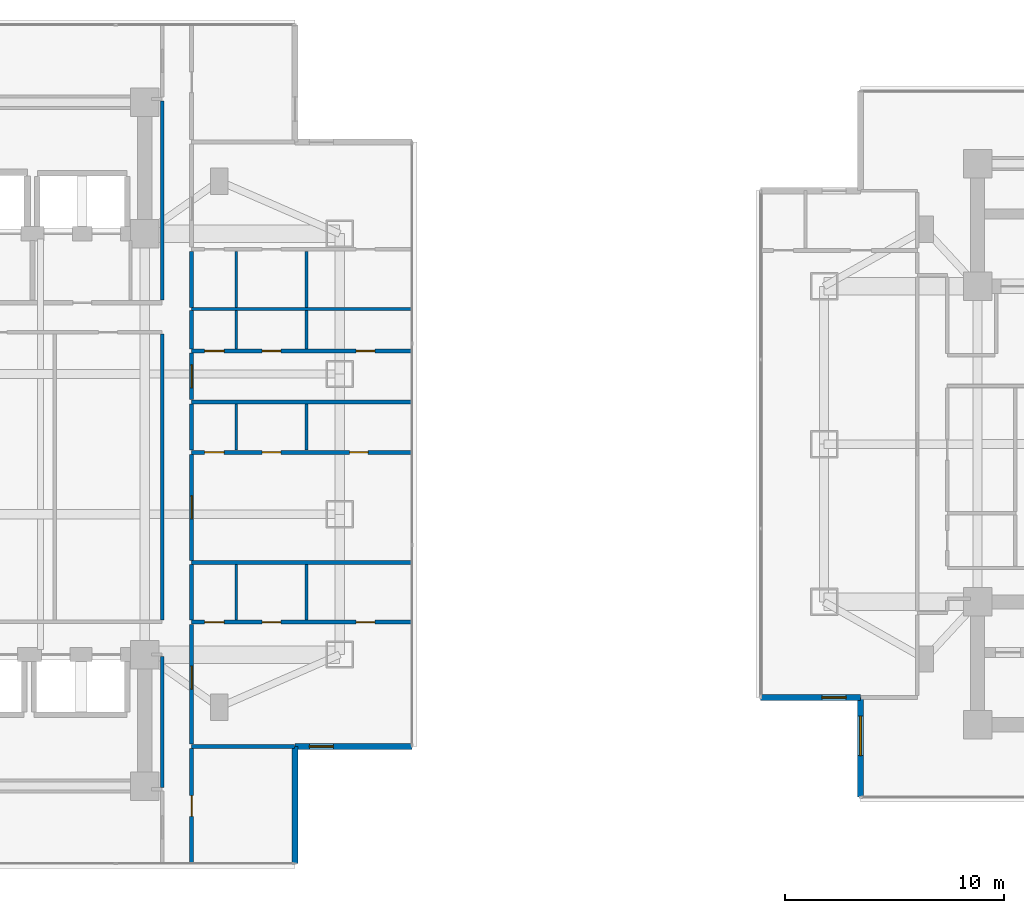
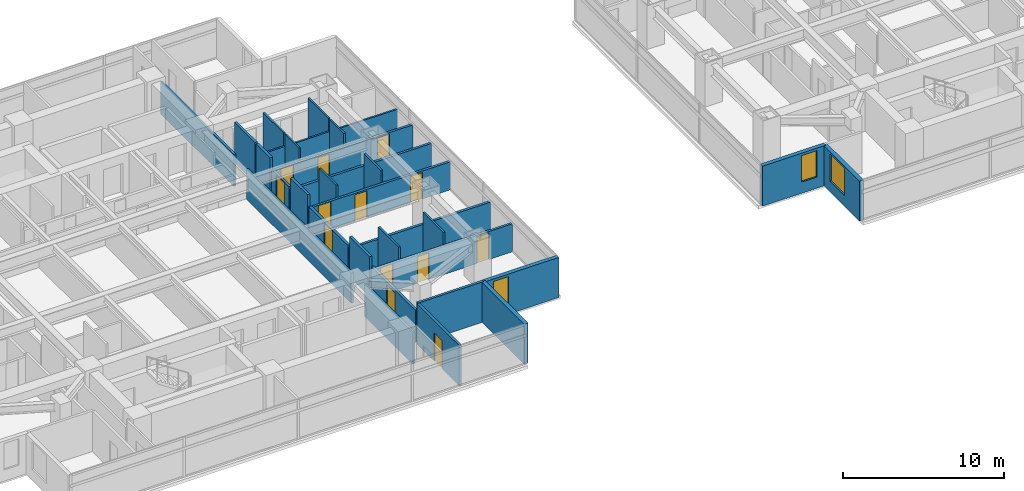
# One storey, part 15 of 24: 30 walls, 13 doors, 3 windows, 16 openings.
"""IFC4 building model written with IfcOpenShell, lengths in metres."""

from ifc_helpers import new_model, si_unit, direction, frame, frame_2d, origin, place, context, subcontext, project, spatial, rectangle, extrude, material, layer, layer_set, type_object, element, fill, save


model = new_model("IFC4")

# Units and contexts
model_context = context("Model", 3, precision=1e-05, world=origin(), true_north=direction((0.0, 1.0)))
body_context = subcontext(model_context, "Body", "Model", "MODEL_VIEW")
ifc_project = project(units=[si_unit("LENGTHUNIT", "METRE"), si_unit("AREAUNIT", "SQUARE_METRE"), si_unit("VOLUMEUNIT", "CUBIC_METRE"), si_unit("PLANEANGLEUNIT", "RADIAN"), si_unit("MASSUNIT", "GRAM", prefix="KILO")], contexts=[model_context])

# Site, building, storey
site_placement = place(None, origin())
site = spatial("IfcSite", under=ifc_project, at=site_placement, CompositionType="ELEMENT")
building_placement = place(site_placement, origin())
building = spatial("IfcBuilding", under=site, at=building_placement, Name="Mirazonda Arch Towers", CompositionType="ELEMENT")
storey_placement = place(building_placement, frame((0.0, 0.0, 65.300048828125)))
storey = spatial("IfcBuildingStorey", under=building, at=storey_placement, Name="L18", CompositionType="ELEMENT", Elevation=65.300048828125)

# Wall, opening, window
ifc_material_1 = material(Name="Precast Concrete C40/50", Category="concrete")
ifc_layer_1 = layer(ifc_material_1, 0.280029296875, Name="WALL-EXT-WALL-280")
ifc_layer_set_1 = layer_set([ifc_layer_1], Name="Precast Concrete C40/50")
wall_type_1 = type_object("IfcWallType", Name="WALL-EXT-WALL-280", PredefinedType="SOLIDWALL", material=ifc_layer_set_1)
wall_1_placement = place(storey_placement, frame((36.860107421875, 14.2080078125, 0.0), z_axis=(0.0, 0.0, 1.0), x_axis=(1.0, 0.0, 0.0)))
wall_1 = element("IfcWall", 1, at=wall_1_placement, inside=storey, type_object=wall_type_1, Name="L18 T1 Corner Notch Return Wall WL-L18-T1-CSE1", PredefinedType="SOLIDWALL", context=body_context, shape_type="SweptSolid", body=[
    extrude(rectangle(XDim=5.33984375, YDim=0.280029296875, at=frame_2d((2.669921875, 0.0))), origin(), (0.0, 0.0, 1.0), 3.0400390625),
])
opening_1_placement = place(wall_1_placement, frame((0.64990234375, 0.0, 0.85009765625)))
opening_1 = element("IfcOpeningElement", 2, at=opening_1_placement, cuts=wall_1, Name="Opening WN-108", PredefinedType="OPENING", context=body_context, shape_type="SweptSolid", body=[
    extrude(rectangle(XDim=1.10009765625, YDim=2.0, at=frame_2d((0.550048828125, 1.0))), frame((0.0, 0.14990234375, 0.0), z_axis=(0.0, -1.0, 0.0), x_axis=(1.0, 0.0, 0.0)), (0.0, 0.0, 1.0), 0.300048828125),
])
ifc_material_2 = material(Name="Insulated Low-E Solar Glass", Category="glass")
window_type_1 = type_object("IfcWindowType", Name="WIN-NOTCH-1100x2000", PartitioningType="SINGLE_PANEL", PredefinedType="WINDOW", material=ifc_material_2)
window_1_placement = place(opening_1_placement, origin())
window_1 = element("IfcWindow", 3, at=window_1_placement, inside=storey, type_object=window_type_1, Name="L18 Punched Facade Window WN-L18-T1-CSE1", OverallHeight=2.0, OverallWidth=1.10009765625, PartitioningType="SINGLE_PANEL", PredefinedType="WINDOW", context=body_context, shape_type="SweptSolid", body=[
    extrude(rectangle(XDim=1.10009765625, YDim=2.0, at=frame_2d((0.550048828125, 1.0))), frame((0.0, 0.030029296875, 0.0), z_axis=(0.0, -1.0, 0.0), x_axis=(1.0, 0.0, 0.0)), (0.0, 0.0, 1.0), 0.06005859375),
])
fill(opening_1, window_1)

# Wall
wall_2_placement = place(storey_placement, frame((36.860107421875, 8.867919921875, 0.0), z_axis=(0.0, 0.0, 1.0), x_axis=(0.0, 1.0, 0.0)))
element("IfcWall", 4, at=wall_2_placement, inside=storey, type_object=wall_type_1, Name="L18 T1 Corner Notch Return Wall WL-L18-T1-CSE2", PredefinedType="SOLIDWALL", context=body_context, shape_type="SweptSolid", body=[
    extrude(rectangle(XDim=5.340087890625, YDim=0.280029296875, at=frame_2d((2.669921875, 0.0))), origin(), (0.0, 0.0, 1.0), 3.0400390625),
])

# Wall, opening, window
wall_3_placement = place(storey_placement, frame((62.654052734375, 16.436767578125, 0.0), z_axis=(0.0, 0.0, 1.0), x_axis=(0.0, -1.0, 0.0)))
wall_3 = element("IfcWall", 5, at=wall_3_placement, inside=storey, type_object=wall_type_1, Name="L18 T2 Notched SW Corner Wall WL-L18-T2-CSW", PredefinedType="SOLIDWALL", context=body_context, shape_type="SweptSolid", body=[
    extrude(rectangle(XDim=4.5458984375, YDim=0.280029296875, at=frame_2d((2.27294921875, 0.0))), origin(), (0.0, 0.0, 1.0), 3.0400390625),
])
opening_2_placement = place(wall_3_placement, frame((0.85009765625, 0.0, 0.7900390625)))
opening_2 = element("IfcOpeningElement", 6, at=opening_2_placement, cuts=wall_3, Name="Opening WN-116", PredefinedType="OPENING", context=body_context, shape_type="SweptSolid", body=[
    extrude(rectangle(XDim=1.800048828125, YDim=2.10009765625, at=frame_2d((0.89990234375, 1.050048828125))), frame((0.0, 0.14990234375, 0.0), z_axis=(0.0, -1.0, 0.0), x_axis=(1.0, 0.0, 0.0)), (0.0, 0.0, 1.0), 0.300048828125),
])
window_type_2 = type_object("IfcWindowType", Name="WIN-HTL-1800x2100", PartitioningType="SINGLE_PANEL", PredefinedType="WINDOW", material=ifc_material_2)
window_2_placement = place(opening_2_placement, origin())
window_2 = element("IfcWindow", 7, at=window_2_placement, inside=storey, type_object=window_type_2, Name="L18 Punched Facade Window WN-L18-T2-CSW", OverallHeight=2.10009765625, OverallWidth=1.800048828125, PartitioningType="SINGLE_PANEL", PredefinedType="WINDOW", context=body_context, shape_type="SweptSolid", body=[
    extrude(rectangle(XDim=1.800048828125, YDim=2.10009765625, at=frame_2d((0.89990234375, 1.050048828125))), frame((0.0, 0.030029296875, 0.0), z_axis=(0.0, -1.0, 0.0), x_axis=(1.0, 0.0, 0.0)), (0.0, 0.0, 1.0), 0.06005859375),
])
fill(opening_2, window_2)

wall_4_placement = place(storey_placement, frame((58.10791015625, 16.436767578125, 0.0), z_axis=(0.0, 0.0, 1.0), x_axis=(1.0, 0.0, 0.0)))
wall_4 = element("IfcWall", 8, at=wall_4_placement, inside=storey, type_object=wall_type_1, Name="L18 T2 Corner Notch Return Wall WL-L18-T2-CSW2", PredefinedType="SOLIDWALL", context=body_context, shape_type="SweptSolid", body=[
    extrude(rectangle(XDim=4.546142578125, YDim=0.280029296875, at=frame_2d((2.27294921875, 0.0))), origin(), (0.0, 0.0, 1.0), 3.0400390625),
])
opening_3_placement = place(wall_4_placement, frame((2.7958984375, 0.0, 0.85009765625)))
opening_3 = element("IfcOpeningElement", 9, at=opening_3_placement, cuts=wall_4, Name="Opening WN-108", PredefinedType="OPENING", context=body_context, shape_type="SweptSolid", body=[
    extrude(rectangle(XDim=1.10009765625, YDim=2.0, at=frame_2d((0.550048828125, 1.0))), frame((0.0, 0.14990234375, 0.0), z_axis=(0.0, -1.0, 0.0), x_axis=(1.0, 0.0, 0.0)), (0.0, 0.0, 1.0), 0.300048828125),
])
window_3_placement = place(opening_3_placement, origin())
window_3 = element("IfcWindow", 10, at=window_3_placement, inside=storey, type_object=window_type_1, Name="L18 Punched Facade Window WN-L18-T2-CSW2", OverallHeight=2.0, OverallWidth=1.10009765625, PartitioningType="SINGLE_PANEL", PredefinedType="WINDOW", context=body_context, shape_type="SweptSolid", body=[
    extrude(rectangle(XDim=1.10009765625, YDim=2.0, at=frame_2d((0.550048828125, 1.0))), frame((0.0, 0.030029296875, 0.0), z_axis=(0.0, -1.0, 0.0), x_axis=(1.0, 0.0, 0.0)), (0.0, 0.0, 1.0), 0.06005859375),
])
fill(opening_3, window_3)

# Walls
ifc_material_3 = material(Name="Fire-Rated Gypsum Stud Partition")
ifc_layer_2 = layer(ifc_material_3, 0.14990234375, Name="WALL-PART-CORR-150")
ifc_layer_set_2 = layer_set([ifc_layer_2], Name="Fire-Rated Gypsum Stud Partition")
wall_type_2 = type_object("IfcWallType", Name="WALL-PART-CORR-150", PredefinedType="PARTITIONING", material=ifc_layer_set_2)
wall_5_placement = place(storey_placement, frame((30.800048828125, 12.3349609375, 0.0), z_axis=(0.0, 0.0, 1.0), x_axis=(0.0, 1.0, 0.0)))
element("IfcWall", 11, at=wall_5_placement, inside=storey, type_object=wall_type_2, Name="L18 Interior Partition 097", PredefinedType="PARTITIONING", context=body_context, shape_type="SweptSolid", body=[
    extrude(rectangle(XDim=5.97998046875, YDim=0.14990234375, at=frame_2d((2.989990234375, 0.0))), origin(), (0.0, 0.0, 1.0), 2.43603515625),
])
wall_6_placement = place(storey_placement, frame((30.800048828125, 19.985107421875, 0.0), z_axis=(0.0, 0.0, 1.0), x_axis=(0.0, 1.0, 0.0)))
element("IfcWall", 12, at=wall_6_placement, inside=storey, type_object=wall_type_2, Name="L18 Interior Partition 098", PredefinedType="PARTITIONING", context=body_context, shape_type="SweptSolid", body=[
    extrude(rectangle(XDim=13.02978515625, YDim=0.14990234375, at=frame_2d((6.514892578125, 0.0))), origin(), (0.0, 0.0, 1.0), 2.279052734375),
])
wall_7_placement = place(storey_placement, frame((30.800048828125, 34.570068359375, 0.0), z_axis=(0.0, 0.0, 1.0), x_axis=(0.0, 1.0, 0.0)))
element("IfcWall", 13, at=wall_7_placement, inside=storey, type_object=wall_type_2, Name="L18 Interior Partition 099", PredefinedType="PARTITIONING", context=body_context, shape_type="SweptSolid", body=[
    extrude(rectangle(XDim=9.094970703125, YDim=0.14990234375, at=frame_2d((4.54736328125, 0.0))), origin(), (0.0, 0.0, 1.0), 2.43603515625),
])
ifc_material_4 = material(Name="Fire-Rated Gypsum Twin-Stud Assembly")
ifc_layer_3 = layer(ifc_material_4, 0.179931640625, Name="WALL-PART-DEMISE-180")
ifc_layer_set_3 = layer_set([ifc_layer_3], Name="Fire-Rated Gypsum Twin-Stud Assembly")
wall_type_3 = type_object("IfcWallType", Name="WALL-PART-DEMISE-180", PredefinedType="PARTITIONING", material=ifc_layer_set_3)
wall_8_placement = place(storey_placement, frame((32.139892578125, 14.2080078125, 0.0), z_axis=(0.0, 0.0, 1.0), x_axis=(1.0, 0.0, 0.0)))
element("IfcWall", 14, at=wall_8_placement, inside=storey, type_object=wall_type_3, Name="L18 Interior Partition 005", PredefinedType="PARTITIONING", context=body_context, shape_type="SweptSolid", body=[
    extrude(rectangle(XDim=4.7001953125, YDim=0.179931640625, at=frame_2d((2.35009765625, 0.0))), origin(), (0.0, 0.0, 1.0), 3.06005859375),
])

# Wall, openings, doors
wall_9_placement = place(storey_placement, frame((32.139892578125, 19.8798828125, 0.0), z_axis=(0.0, 0.0, 1.0), x_axis=(1.0, 0.0, 0.0)))
wall_9 = element("IfcWall", 15, at=wall_9_placement, inside=storey, type_object=wall_type_3, Name="L18 Interior Partition 016", PredefinedType="PARTITIONING", context=body_context, shape_type="SweptSolid", body=[
    extrude(rectangle(XDim=10.06005859375, YDim=0.179931640625, at=frame_2d((5.030029296875, 0.0))), origin(), (0.0, 0.0, 1.0), 2.125),
])
opening_4_placement = place(wall_9_placement, frame((7.509033203125, 0.0, 0.0)))
opening_4 = element("IfcOpeningElement", 16, at=opening_4_placement, cuts=wall_9, Name="Opening DR-128", PredefinedType="OPENING", context=body_context, shape_type="SweptSolid", body=[
    extrude(rectangle(XDim=0.85009765625, YDim=2.010009765625, at=frame_2d((0.425048828125, 1.0048828125))), frame((0.0, 0.099853515625, 0.0), z_axis=(0.0, -1.0, 0.0), x_axis=(1.0, 0.0, 0.0)), (0.0, 0.0, 1.0), 0.199951171875),
])
opening_5_placement = place(wall_9_placement, frame((3.218994140625, 0.0, 0.0)))
opening_5 = element("IfcOpeningElement", 17, at=opening_5_placement, cuts=wall_9, Name="Opening DR-128", PredefinedType="OPENING", context=body_context, shape_type="SweptSolid", body=[
    extrude(rectangle(XDim=0.85009765625, YDim=2.010009765625, at=frame_2d((0.425048828125, 1.0048828125))), frame((0.0, 0.099853515625, 0.0), z_axis=(0.0, -1.0, 0.0), x_axis=(1.0, 0.0, 0.0)), (0.0, 0.0, 1.0), 0.199951171875),
])
opening_6_placement = place(wall_9_placement, frame((0.590087890625, 0.0, 0.0)))
opening_6 = element("IfcOpeningElement", 18, at=opening_6_placement, cuts=wall_9, Name="Opening DR-120", PredefinedType="OPENING", context=body_context, shape_type="SweptSolid", body=[
    extrude(rectangle(XDim=0.89990234375, YDim=2.10009765625, at=frame_2d((0.449951171875, 1.050048828125))), frame((0.0, 0.099853515625, 0.0), z_axis=(0.0, -1.0, 0.0), x_axis=(1.0, 0.0, 0.0)), (0.0, 0.0, 1.0), 0.199951171875),
])
ifc_material_5 = material(Name="Architectural Brushed Steel S355", Category="steel")
door_type_1 = type_object("IfcDoorType", Name="DOOR-RISER-FD60-850", OperationType="NOTDEFINED", PredefinedType="DOOR", material=ifc_material_5)
door_1_placement = place(opening_4_placement, origin())
door_1 = element("IfcDoor", 19, at=door_1_placement, inside=storey, type_object=door_type_1, Name="L18 Residence 1 Principal Bedroom Door", OperationType="SINGLE_SWING_RIGHT", OverallHeight=2.010009765625, OverallWidth=0.85009765625, PredefinedType="DOOR", context=body_context, shape_type="SweptSolid", body=[
    extrude(rectangle(XDim=0.85009765625, YDim=2.010009765625, at=frame_2d((0.425048828125, 1.0048828125))), frame((0.0, 0.02490234375, 0.0), z_axis=(0.0, -1.0, 0.0), x_axis=(1.0, 0.0, 0.0)), (0.0, 0.0, 1.0), 0.050048828125),
])
fill(opening_4, door_1)
door_2_placement = place(opening_5_placement, origin())
door_2 = element("IfcDoor", 20, at=door_2_placement, inside=storey, type_object=door_type_1, Name="L18 Residence 1 Fitted Kitchen Door", OperationType="SINGLE_SWING_LEFT", OverallHeight=2.010009765625, OverallWidth=0.85009765625, PredefinedType="DOOR", context=body_context, shape_type="SweptSolid", body=[
    extrude(rectangle(XDim=0.85009765625, YDim=2.010009765625, at=frame_2d((0.425048828125, 1.0048828125))), frame((0.0, 0.02490234375, 0.0), z_axis=(0.0, -1.0, 0.0), x_axis=(1.0, 0.0, 0.0)), (0.0, 0.0, 1.0), 0.050048828125),
])
fill(opening_5, door_2)
door_type_2 = type_object("IfcDoorType", Name="DOOR-WC-900", OperationType="NOTDEFINED", PredefinedType="DOOR", material=ifc_material_5)
door_3_placement = place(opening_6_placement, origin())
door_3 = element("IfcDoor", 21, at=door_3_placement, inside=storey, type_object=door_type_2, Name="L18 Residence 1 Bathroom Door", OperationType="SINGLE_SWING_RIGHT", OverallHeight=2.10009765625, OverallWidth=0.89990234375, PredefinedType="DOOR", context=body_context, shape_type="SweptSolid", body=[
    extrude(rectangle(XDim=0.89990234375, YDim=2.10009765625, at=frame_2d((0.449951171875, 1.050048828125))), frame((0.0, 0.02490234375, 0.0), z_axis=(0.0, -1.0, 0.0), x_axis=(1.0, 0.0, 0.0)), (0.0, 0.0, 1.0), 0.050048828125),
])
fill(opening_6, door_3)

# Wall
wall_10_placement = place(storey_placement, frame((32.139892578125, 22.60009765625, 0.0), z_axis=(0.0, 0.0, 1.0), x_axis=(1.0, 0.0, 0.0)))
element("IfcWall", 22, at=wall_10_placement, inside=storey, type_object=wall_type_3, Name="L18 Interior Partition 023", PredefinedType="PARTITIONING", context=body_context, shape_type="SweptSolid", body=[
    extrude(rectangle(XDim=10.06005859375, YDim=0.179931640625, at=frame_2d((5.030029296875, 0.0))), origin(), (0.0, 0.0, 1.0), 2.125),
])

# Wall, openings, doors
wall_11_placement = place(storey_placement, frame((32.139892578125, 27.6279296875, 0.0), z_axis=(0.0, 0.0, 1.0), x_axis=(1.0, 0.0, 0.0)))
wall_11 = element("IfcWall", 23, at=wall_11_placement, inside=storey, type_object=wall_type_3, Name="L18 Interior Partition 031", PredefinedType="PARTITIONING", context=body_context, shape_type="SweptSolid", body=[
    extrude(rectangle(XDim=10.06005859375, YDim=0.179931640625, at=frame_2d((5.030029296875, 0.0))), origin(), (0.0, 0.0, 1.0), 2.125),
])
opening_7_placement = place(wall_11_placement, frame((7.208984375, 0.0, 0.0)))
opening_7 = element("IfcOpeningElement", 24, at=opening_7_placement, cuts=wall_11, Name="Opening DR-128", PredefinedType="OPENING", context=body_context, shape_type="SweptSolid", body=[
    extrude(rectangle(XDim=0.85009765625, YDim=2.010009765625, at=frame_2d((0.425048828125, 1.0048828125))), frame((0.0, 0.099853515625, 0.0), z_axis=(0.0, -1.0, 0.0), x_axis=(1.0, 0.0, 0.0)), (0.0, 0.0, 1.0), 0.199951171875),
])
opening_8_placement = place(wall_11_placement, frame((3.218994140625, 0.0, 0.0)))
opening_8 = element("IfcOpeningElement", 25, at=opening_8_placement, cuts=wall_11, Name="Opening DR-128", PredefinedType="OPENING", context=body_context, shape_type="SweptSolid", body=[
    extrude(rectangle(XDim=0.85009765625, YDim=2.010009765625, at=frame_2d((0.425048828125, 1.0048828125))), frame((0.0, 0.099853515625, 0.0), z_axis=(0.0, -1.0, 0.0), x_axis=(1.0, 0.0, 0.0)), (0.0, 0.0, 1.0), 0.199951171875),
])
opening_9_placement = place(wall_11_placement, frame((0.590087890625, 0.0, 0.0)))
opening_9 = element("IfcOpeningElement", 26, at=opening_9_placement, cuts=wall_11, Name="Opening DR-120", PredefinedType="OPENING", context=body_context, shape_type="SweptSolid", body=[
    extrude(rectangle(XDim=0.89990234375, YDim=2.10009765625, at=frame_2d((0.449951171875, 1.050048828125))), frame((0.0, 0.099853515625, 0.0), z_axis=(0.0, -1.0, 0.0), x_axis=(1.0, 0.0, 0.0)), (0.0, 0.0, 1.0), 0.199951171875),
])
door_4_placement = place(opening_7_placement, origin())
door_4 = element("IfcDoor", 27, at=door_4_placement, inside=storey, type_object=door_type_1, Name="L18 Residence 2 Principal Bedroom Door", OperationType="SINGLE_SWING_RIGHT", OverallHeight=2.010009765625, OverallWidth=0.85009765625, PredefinedType="DOOR", context=body_context, shape_type="SweptSolid", body=[
    extrude(rectangle(XDim=0.85009765625, YDim=2.010009765625, at=frame_2d((0.425048828125, 1.0048828125))), frame((0.0, 0.02490234375, 0.0), z_axis=(0.0, -1.0, 0.0), x_axis=(1.0, 0.0, 0.0)), (0.0, 0.0, 1.0), 0.050048828125),
])
fill(opening_7, door_4)
door_5_placement = place(opening_8_placement, origin())
door_5 = element("IfcDoor", 28, at=door_5_placement, inside=storey, type_object=door_type_1, Name="L18 Residence 2 Fitted Kitchen Door", OperationType="SINGLE_SWING_LEFT", OverallHeight=2.010009765625, OverallWidth=0.85009765625, PredefinedType="DOOR", context=body_context, shape_type="SweptSolid", body=[
    extrude(rectangle(XDim=0.85009765625, YDim=2.010009765625, at=frame_2d((0.425048828125, 1.0048828125))), frame((0.0, 0.02490234375, 0.0), z_axis=(0.0, -1.0, 0.0), x_axis=(1.0, 0.0, 0.0)), (0.0, 0.0, 1.0), 0.050048828125),
])
fill(opening_8, door_5)
door_6_placement = place(opening_9_placement, origin())
door_6 = element("IfcDoor", 29, at=door_6_placement, inside=storey, type_object=door_type_2, Name="L18 Residence 2 Bathroom Door", OperationType="SINGLE_SWING_RIGHT", OverallHeight=2.10009765625, OverallWidth=0.89990234375, PredefinedType="DOOR", context=body_context, shape_type="SweptSolid", body=[
    extrude(rectangle(XDim=0.89990234375, YDim=2.10009765625, at=frame_2d((0.449951171875, 1.050048828125))), frame((0.0, 0.02490234375, 0.0), z_axis=(0.0, -1.0, 0.0), x_axis=(1.0, 0.0, 0.0)), (0.0, 0.0, 1.0), 0.050048828125),
])
fill(opening_9, door_6)

# Wall
wall_12_placement = place(storey_placement, frame((32.139892578125, 29.927978515625, 0.0), z_axis=(0.0, 0.0, 1.0), x_axis=(1.0, 0.0, 0.0)))
element("IfcWall", 30, at=wall_12_placement, inside=storey, type_object=wall_type_3, Name="L18 Interior Partition 033", PredefinedType="PARTITIONING", context=body_context, shape_type="SweptSolid", body=[
    extrude(rectangle(XDim=10.06005859375, YDim=0.179931640625, at=frame_2d((5.030029296875, 0.0))), origin(), (0.0, 0.0, 1.0), 2.125),
])

# Wall, openings, doors
wall_13_placement = place(storey_placement, frame((32.139892578125, 32.2509765625, 0.0), z_axis=(0.0, 0.0, 1.0), x_axis=(1.0, 0.0, 0.0)))
wall_13 = element("IfcWall", 31, at=wall_13_placement, inside=storey, type_object=wall_type_3, Name="L18 Interior Partition 037", PredefinedType="PARTITIONING", context=body_context, shape_type="SweptSolid", body=[
    extrude(rectangle(XDim=10.06005859375, YDim=0.179931640625, at=frame_2d((5.030029296875, 0.0))), origin(), (0.0, 0.0, 1.0), 2.125),
])
opening_10_placement = place(wall_13_placement, frame((7.509033203125, 0.0, 0.0)))
opening_10 = element("IfcOpeningElement", 32, at=opening_10_placement, cuts=wall_13, Name="Opening DR-128", PredefinedType="OPENING", context=body_context, shape_type="SweptSolid", body=[
    extrude(rectangle(XDim=0.85009765625, YDim=2.010009765625, at=frame_2d((0.425048828125, 1.0048828125))), frame((0.0, 0.099853515625, 0.0), z_axis=(0.0, -1.0, 0.0), x_axis=(1.0, 0.0, 0.0)), (0.0, 0.0, 1.0), 0.199951171875),
])
opening_11_placement = place(wall_13_placement, frame((3.218994140625, 0.0, 0.0)))
opening_11 = element("IfcOpeningElement", 33, at=opening_11_placement, cuts=wall_13, Name="Opening DR-128", PredefinedType="OPENING", context=body_context, shape_type="SweptSolid", body=[
    extrude(rectangle(XDim=0.85009765625, YDim=2.010009765625, at=frame_2d((0.425048828125, 1.0048828125))), frame((0.0, 0.099853515625, 0.0), z_axis=(0.0, -1.0, 0.0), x_axis=(1.0, 0.0, 0.0)), (0.0, 0.0, 1.0), 0.199951171875),
])
opening_12_placement = place(wall_13_placement, frame((0.590087890625, 0.0, 0.0)))
opening_12 = element("IfcOpeningElement", 34, at=opening_12_placement, cuts=wall_13, Name="Opening DR-120", PredefinedType="OPENING", context=body_context, shape_type="SweptSolid", body=[
    extrude(rectangle(XDim=0.89990234375, YDim=2.10009765625, at=frame_2d((0.449951171875, 1.050048828125))), frame((0.0, 0.099853515625, 0.0), z_axis=(0.0, -1.0, 0.0), x_axis=(1.0, 0.0, 0.0)), (0.0, 0.0, 1.0), 0.199951171875),
])
door_7_placement = place(opening_10_placement, origin())
door_7 = element("IfcDoor", 35, at=door_7_placement, inside=storey, type_object=door_type_1, Name="L18 Residence 3 Principal Bedroom Door", OperationType="SINGLE_SWING_RIGHT", OverallHeight=2.010009765625, OverallWidth=0.85009765625, PredefinedType="DOOR", context=body_context, shape_type="SweptSolid", body=[
    extrude(rectangle(XDim=0.85009765625, YDim=2.010009765625, at=frame_2d((0.425048828125, 1.0048828125))), frame((0.0, 0.02490234375, 0.0), z_axis=(0.0, -1.0, 0.0), x_axis=(1.0, 0.0, 0.0)), (0.0, 0.0, 1.0), 0.050048828125),
])
fill(opening_10, door_7)
door_8_placement = place(opening_11_placement, origin())
door_8 = element("IfcDoor", 36, at=door_8_placement, inside=storey, type_object=door_type_1, Name="L18 Residence 3 Fitted Kitchen Door", OperationType="SINGLE_SWING_LEFT", OverallHeight=2.010009765625, OverallWidth=0.85009765625, PredefinedType="DOOR", context=body_context, shape_type="SweptSolid", body=[
    extrude(rectangle(XDim=0.85009765625, YDim=2.010009765625, at=frame_2d((0.425048828125, 1.0048828125))), frame((0.0, 0.02490234375, 0.0), z_axis=(0.0, -1.0, 0.0), x_axis=(1.0, 0.0, 0.0)), (0.0, 0.0, 1.0), 0.050048828125),
])
fill(opening_11, door_8)
door_9_placement = place(opening_12_placement, origin())
door_9 = element("IfcDoor", 37, at=door_9_placement, inside=storey, type_object=door_type_2, Name="L18 Residence 3 Bathroom Door", OperationType="SINGLE_SWING_RIGHT", OverallHeight=2.10009765625, OverallWidth=0.89990234375, PredefinedType="DOOR", context=body_context, shape_type="SweptSolid", body=[
    extrude(rectangle(XDim=0.89990234375, YDim=2.10009765625, at=frame_2d((0.449951171875, 1.050048828125))), frame((0.0, 0.02490234375, 0.0), z_axis=(0.0, -1.0, 0.0), x_axis=(1.0, 0.0, 0.0)), (0.0, 0.0, 1.0), 0.050048828125),
])
fill(opening_12, door_9)

# Wall, opening, door
wall_14_placement = place(storey_placement, frame((32.139892578125, 8.867919921875, 0.0), z_axis=(0.0, 0.0, 1.0), x_axis=(0.0, 1.0, 0.0)))
wall_14 = element("IfcWall", 38, at=wall_14_placement, inside=storey, type_object=wall_type_3, Name="L18 Interior Partition 101", PredefinedType="PARTITIONING", context=body_context, shape_type="SweptSolid", body=[
    extrude(rectangle(XDim=5.239990234375, YDim=0.179931640625, at=frame_2d((2.6201171875, 0.0))), origin(), (0.0, 0.0, 1.0), 3.06005859375),
])
opening_13_placement = place(wall_14_placement, frame((2.14501953125, 0.0, 0.0)))
opening_13 = element("IfcOpeningElement", 39, at=opening_13_placement, cuts=wall_14, Name="Opening DR-104", PredefinedType="OPENING", context=body_context, shape_type="SweptSolid", body=[
    extrude(rectangle(XDim=0.949951171875, YDim=2.14990234375, at=frame_2d((0.47509765625, 1.074951171875))), frame((0.0, 0.099853515625, 0.0), z_axis=(0.0, -1.0, 0.0), x_axis=(1.0, 0.0, 0.0)), (0.0, 0.0, 1.0), 0.199951171875),
])
door_type_3 = type_object("IfcDoorType", Name="DOOR-ROOM-950", OperationType="NOTDEFINED", PredefinedType="DOOR", material=ifc_material_5)
door_10_placement = place(opening_13_placement, origin())
door_10 = element("IfcDoor", 40, at=door_10_placement, inside=storey, type_object=door_type_3, Name="L18 South Panoramic Study Alcove East Door", OperationType="SINGLE_SWING_LEFT", OverallHeight=2.14990234375, OverallWidth=0.949951171875, PredefinedType="DOOR", context=body_context, shape_type="SweptSolid", body=[
    extrude(rectangle(XDim=0.949951171875, YDim=2.14990234375, at=frame_2d((0.47509765625, 1.074951171875))), frame((0.0, 0.02490234375, 0.0), z_axis=(0.0, -1.0, 0.0), x_axis=(1.0, 0.0, 0.0)), (0.0, 0.0, 1.0), 0.050048828125),
])
fill(opening_13, door_10)

wall_15_placement = place(storey_placement, frame((32.139892578125, 14.30810546875, 0.0), z_axis=(0.0, 0.0, 1.0), x_axis=(0.0, 1.0, 0.0)))
wall_15 = element("IfcWall", 41, at=wall_15_placement, inside=storey, type_object=wall_type_3, Name="L18 Interior Partition 102", PredefinedType="PARTITIONING", context=body_context, shape_type="SweptSolid", body=[
    extrude(rectangle(XDim=5.471923828125, YDim=0.179931640625, at=frame_2d((2.73583984375, 0.0))), origin(), (0.0, 0.0, 1.0), 2.43603515625),
])
opening_14_placement = place(wall_15_placement, frame((2.510986328125, 0.0, 0.0)))
opening_14 = element("IfcOpeningElement", 42, at=opening_14_placement, cuts=wall_15, Name="Opening DR-121", PredefinedType="OPENING", context=body_context, shape_type="SweptSolid", body=[
    extrude(rectangle(XDim=1.050048828125, YDim=2.199951171875, at=frame_2d((0.52490234375, 1.10009765625))), frame((0.0, 0.099853515625, 0.0), z_axis=(0.0, -1.0, 0.0), x_axis=(1.0, 0.0, 0.0)), (0.0, 0.0, 1.0), 0.199951171875),
])
door_type_4 = type_object("IfcDoorType", Name="DOOR-SUITE-FD60-1050", OperationType="NOTDEFINED", PredefinedType="DOOR", material=ifc_material_5)
door_11_placement = place(opening_14_placement, origin())
door_11 = element("IfcDoor", 43, at=door_11_placement, inside=storey, type_object=door_type_4, Name="L18 Residence 1 Living & Dining Salon Door", OperationType="SINGLE_SWING_LEFT", OverallHeight=2.199951171875, OverallWidth=1.050048828125, PredefinedType="DOOR", context=body_context, shape_type="SweptSolid", body=[
    extrude(rectangle(XDim=1.050048828125, YDim=2.199951171875, at=frame_2d((0.52490234375, 1.10009765625))), frame((0.0, 0.02490234375, 0.0), z_axis=(0.0, -1.0, 0.0), x_axis=(1.0, 0.0, 0.0)), (0.0, 0.0, 1.0), 0.050048828125),
])
fill(opening_14, door_11)

# Wall
wall_16_placement = place(storey_placement, frame((32.139892578125, 19.97998046875, 0.0), z_axis=(0.0, 0.0, 1.0), x_axis=(0.0, 1.0, 0.0)))
element("IfcWall", 44, at=wall_16_placement, inside=storey, type_object=wall_type_3, Name="L18 Interior Partition 103", PredefinedType="PARTITIONING", context=body_context, shape_type="SweptSolid", body=[
    extrude(rectangle(XDim=2.52001953125, YDim=0.179931640625, at=frame_2d((1.260009765625, 0.0))), origin(), (0.0, 0.0, 1.0), 3.06005859375),
])

# Wall, opening, door
wall_17_placement = place(storey_placement, frame((32.139892578125, 22.699951171875, 0.0), z_axis=(0.0, 0.0, 1.0), x_axis=(0.0, 1.0, 0.0)))
wall_17 = element("IfcWall", 45, at=wall_17_placement, inside=storey, type_object=wall_type_3, Name="L18 Interior Partition 104", PredefinedType="PARTITIONING", context=body_context, shape_type="SweptSolid", body=[
    extrude(rectangle(XDim=4.828125, YDim=0.179931640625, at=frame_2d((2.4140625, 0.0))), origin(), (0.0, 0.0, 1.0), 2.279052734375),
])
opening_15_placement = place(wall_17_placement, frame((1.888916015625, 0.0, 0.0)))
opening_15 = element("IfcOpeningElement", 46, at=opening_15_placement, cuts=wall_17, Name="Opening DR-121", PredefinedType="OPENING", context=body_context, shape_type="SweptSolid", body=[
    extrude(rectangle(XDim=1.050048828125, YDim=2.199951171875, at=frame_2d((0.52490234375, 1.10009765625))), frame((0.0, 0.099853515625, 0.0), z_axis=(0.0, -1.0, 0.0), x_axis=(1.0, 0.0, 0.0)), (0.0, 0.0, 1.0), 0.199951171875),
])
door_12_placement = place(opening_15_placement, origin())
door_12 = element("IfcDoor", 47, at=door_12_placement, inside=storey, type_object=door_type_4, Name="L18 Residence 2 Living & Dining Salon Door", OperationType="SINGLE_SWING_LEFT", OverallHeight=2.199951171875, OverallWidth=1.050048828125, PredefinedType="DOOR", context=body_context, shape_type="SweptSolid", body=[
    extrude(rectangle(XDim=1.050048828125, YDim=2.199951171875, at=frame_2d((0.52490234375, 1.10009765625))), frame((0.0, 0.02490234375, 0.0), z_axis=(0.0, -1.0, 0.0), x_axis=(1.0, 0.0, 0.0)), (0.0, 0.0, 1.0), 0.050048828125),
])
fill(opening_15, door_12)

# Wall
wall_18_placement = place(storey_placement, frame((32.139892578125, 27.72802734375, 0.0), z_axis=(0.0, 0.0, 1.0), x_axis=(0.0, 1.0, 0.0)))
element("IfcWall", 48, at=wall_18_placement, inside=storey, type_object=wall_type_3, Name="L18 Interior Partition 105", PredefinedType="PARTITIONING", context=body_context, shape_type="SweptSolid", body=[
    extrude(rectangle(XDim=2.099853515625, YDim=0.179931640625, at=frame_2d((1.0498046875, 0.0))), origin(), (0.0, 0.0, 1.0), 3.06005859375),
])

# Wall, opening, door
wall_19_placement = place(storey_placement, frame((32.139892578125, 30.028076171875, 0.0), z_axis=(0.0, 0.0, 1.0), x_axis=(0.0, 1.0, 0.0)))
wall_19 = element("IfcWall", 49, at=wall_19_placement, inside=storey, type_object=wall_type_3, Name="L18 Interior Partition 106", PredefinedType="PARTITIONING", context=body_context, shape_type="SweptSolid", body=[
    extrude(rectangle(XDim=2.122802734375, YDim=0.179931640625, at=frame_2d((1.0615234375, 0.0))), origin(), (0.0, 0.0, 1.0), 2.279052734375),
])
opening_16_placement = place(wall_19_placement, frame((0.53662109375, 0.0, 0.0)))
opening_16 = element("IfcOpeningElement", 50, at=opening_16_placement, cuts=wall_19, Name="Opening DR-121", PredefinedType="OPENING", context=body_context, shape_type="SweptSolid", body=[
    extrude(rectangle(XDim=1.050048828125, YDim=2.199951171875, at=frame_2d((0.52490234375, 1.10009765625))), frame((0.0, 0.099853515625, 0.0), z_axis=(0.0, -1.0, 0.0), x_axis=(1.0, 0.0, 0.0)), (0.0, 0.0, 1.0), 0.199951171875),
])
door_13_placement = place(opening_16_placement, origin())
door_13 = element("IfcDoor", 51, at=door_13_placement, inside=storey, type_object=door_type_4, Name="L18 Residence 3 Living & Dining Salon Door", OperationType="SINGLE_SWING_LEFT", OverallHeight=2.199951171875, OverallWidth=1.050048828125, PredefinedType="DOOR", context=body_context, shape_type="SweptSolid", body=[
    extrude(rectangle(XDim=1.050048828125, YDim=2.199951171875, at=frame_2d((0.52490234375, 1.10009765625))), frame((0.0, 0.02490234375, 0.0), z_axis=(0.0, -1.0, 0.0), x_axis=(1.0, 0.0, 0.0)), (0.0, 0.0, 1.0), 0.050048828125),
])
fill(opening_16, door_13)

# Walls
wall_20_placement = place(storey_placement, frame((32.139892578125, 32.35107421875, 0.0), z_axis=(0.0, 0.0, 1.0), x_axis=(0.0, 1.0, 0.0)))
element("IfcWall", 52, at=wall_20_placement, inside=storey, type_object=wall_type_3, Name="L18 Interior Partition 107", PredefinedType="PARTITIONING", context=body_context, shape_type="SweptSolid", body=[
    extrude(rectangle(XDim=1.747314453125, YDim=0.179931640625, at=frame_2d((0.87353515625, 0.0))), origin(), (0.0, 0.0, 1.0), 3.06005859375),
])
wall_21_placement = place(storey_placement, frame((32.139892578125, 34.243408203125, 0.0), z_axis=(0.0, 0.0, 1.0), x_axis=(0.0, 1.0, 0.0)))
element("IfcWall", 53, at=wall_21_placement, inside=storey, type_object=wall_type_3, Name="L18 Interior Partition 108", PredefinedType="PARTITIONING", context=body_context, shape_type="SweptSolid", body=[
    extrude(rectangle(XDim=2.547607421875, YDim=0.179931640625, at=frame_2d((1.27392578125, 0.0))), origin(), (0.0, 0.0, 1.0), 3.06005859375),
])
ifc_material_6 = material(Name="Acoustic Fire-Rated Gypsum Partition")
ifc_layer_4 = layer(ifc_material_6, 0.125, Name="WALL-PART-UNIT-125")
ifc_layer_set_4 = layer_set([ifc_layer_4], Name="Acoustic Fire-Rated Gypsum Partition")
wall_type_4 = type_object("IfcWallType", Name="WALL-PART-UNIT-125", PredefinedType="PARTITIONING", material=ifc_layer_set_4)
wall_22_placement = place(storey_placement, frame((32.139892578125, 34.1708984375, 0.0), z_axis=(0.0, 0.0, 1.0), x_axis=(1.0, 0.0, 0.0)))
element("IfcWall", 54, at=wall_22_placement, inside=storey, type_object=wall_type_4, Name="L18 Interior Partition 039", PredefinedType="PARTITIONING", context=body_context, shape_type="SweptSolid", body=[
    extrude(rectangle(XDim=10.06005859375, YDim=0.125, at=frame_2d((5.030029296875, 0.0))), origin(), (0.0, 0.0, 1.0), 2.125),
])
wall_23_placement = place(storey_placement, frame((34.179931640625, 19.97998046875, 0.0), z_axis=(0.0, 0.0, 1.0), x_axis=(0.0, 1.0, 0.0)))
element("IfcWall", 55, at=wall_23_placement, inside=storey, type_object=wall_type_4, Name="L18 Interior Partition 111", PredefinedType="PARTITIONING", context=body_context, shape_type="SweptSolid", body=[
    extrude(rectangle(XDim=2.52001953125, YDim=0.125, at=frame_2d((1.260009765625, 0.0))), origin(), (0.0, 0.0, 1.0), 3.06005859375),
])
wall_24_placement = place(storey_placement, frame((34.179931640625, 27.72802734375, 0.0), z_axis=(0.0, 0.0, 1.0), x_axis=(0.0, 1.0, 0.0)))
element("IfcWall", 56, at=wall_24_placement, inside=storey, type_object=wall_type_4, Name="L18 Interior Partition 112", PredefinedType="PARTITIONING", context=body_context, shape_type="SweptSolid", body=[
    extrude(rectangle(XDim=2.099853515625, YDim=0.125, at=frame_2d((1.0498046875, 0.0))), origin(), (0.0, 0.0, 1.0), 3.06005859375),
])
wall_25_placement = place(storey_placement, frame((34.179931640625, 32.35107421875, 0.0), z_axis=(0.0, 0.0, 1.0), x_axis=(0.0, 1.0, 0.0)))
element("IfcWall", 57, at=wall_25_placement, inside=storey, type_object=wall_type_4, Name="L18 Interior Partition 113", PredefinedType="PARTITIONING", context=body_context, shape_type="SweptSolid", body=[
    extrude(rectangle(XDim=1.747314453125, YDim=0.125, at=frame_2d((0.87353515625, 0.0))), origin(), (0.0, 0.0, 1.0), 3.06005859375),
])
wall_26_placement = place(storey_placement, frame((34.179931640625, 34.243408203125, 0.0), z_axis=(0.0, 0.0, 1.0), x_axis=(0.0, 1.0, 0.0)))
element("IfcWall", 58, at=wall_26_placement, inside=storey, type_object=wall_type_4, Name="L18 Interior Partition 114", PredefinedType="PARTITIONING", context=body_context, shape_type="SweptSolid", body=[
    extrude(rectangle(XDim=2.547607421875, YDim=0.125, at=frame_2d((1.27392578125, 0.0))), origin(), (0.0, 0.0, 1.0), 3.06005859375),
])
wall_27_placement = place(storey_placement, frame((37.387939453125, 19.97998046875, 0.0), z_axis=(0.0, 0.0, 1.0), x_axis=(0.0, 1.0, 0.0)))
element("IfcWall", 59, at=wall_27_placement, inside=storey, type_object=wall_type_4, Name="L18 Interior Partition 115", PredefinedType="PARTITIONING", context=body_context, shape_type="SweptSolid", body=[
    extrude(rectangle(XDim=2.52001953125, YDim=0.125, at=frame_2d((1.260009765625, 0.0))), origin(), (0.0, 0.0, 1.0), 3.06005859375),
])
wall_28_placement = place(storey_placement, frame((37.387939453125, 27.72802734375, 0.0), z_axis=(0.0, 0.0, 1.0), x_axis=(0.0, 1.0, 0.0)))
element("IfcWall", 60, at=wall_28_placement, inside=storey, type_object=wall_type_4, Name="L18 Interior Partition 116", PredefinedType="PARTITIONING", context=body_context, shape_type="SweptSolid", body=[
    extrude(rectangle(XDim=2.099853515625, YDim=0.125, at=frame_2d((1.0498046875, 0.0))), origin(), (0.0, 0.0, 1.0), 3.06005859375),
])
wall_29_placement = place(storey_placement, frame((37.387939453125, 32.35107421875, 0.0), z_axis=(0.0, 0.0, 1.0), x_axis=(0.0, 1.0, 0.0)))
element("IfcWall", 61, at=wall_29_placement, inside=storey, type_object=wall_type_4, Name="L18 Interior Partition 117", PredefinedType="PARTITIONING", context=body_context, shape_type="SweptSolid", body=[
    extrude(rectangle(XDim=1.747314453125, YDim=0.125, at=frame_2d((0.87353515625, 0.0))), origin(), (0.0, 0.0, 1.0), 3.06005859375),
])
wall_30_placement = place(storey_placement, frame((37.387939453125, 34.243408203125, 0.0), z_axis=(0.0, 0.0, 1.0), x_axis=(0.0, 1.0, 0.0)))
element("IfcWall", 62, at=wall_30_placement, inside=storey, type_object=wall_type_4, Name="L18 Interior Partition 118", PredefinedType="PARTITIONING", context=body_context, shape_type="SweptSolid", body=[
    extrude(rectangle(XDim=2.547607421875, YDim=0.125, at=frame_2d((1.27392578125, 0.0))), origin(), (0.0, 0.0, 1.0), 3.06005859375),
])

save(model, "model.ifc")
